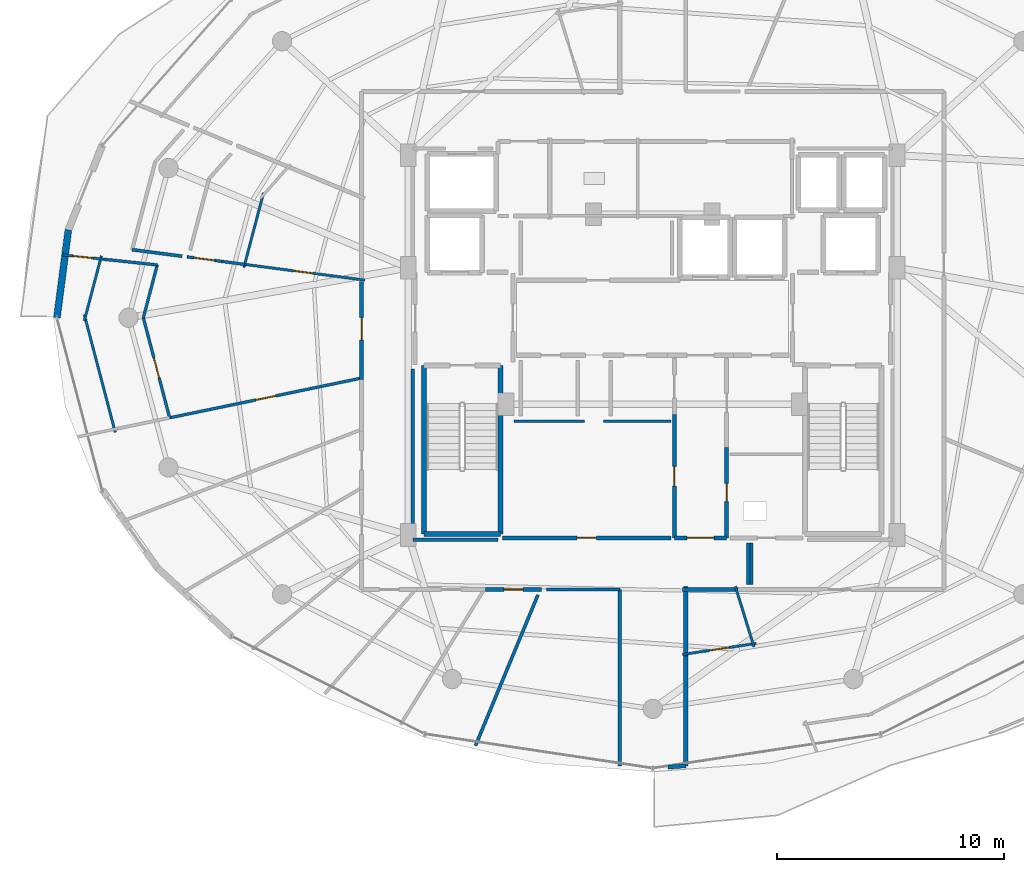
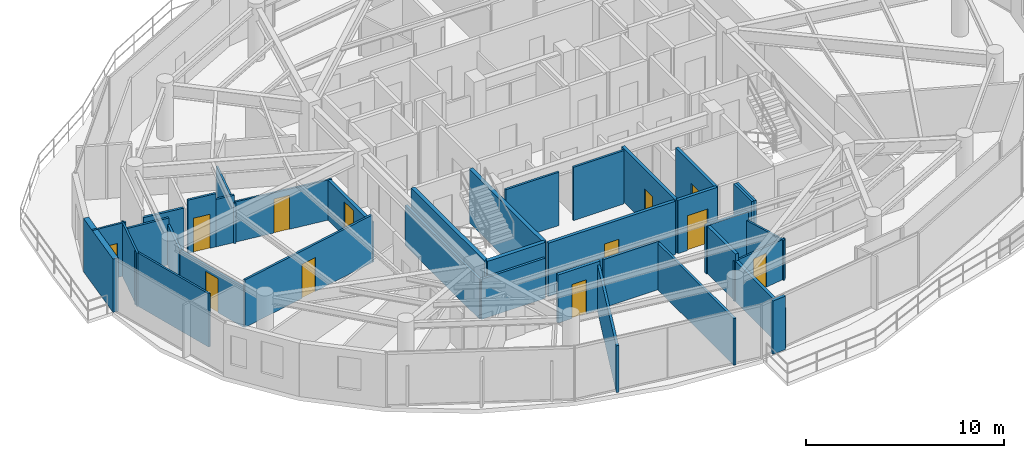
# One storey, part 22 of 30: 37 walls, 12 doors, 12 openings.
"""IFC4 building model written with IfcOpenShell, lengths in metres."""

from ifc_helpers import new_model, si_unit, direction, frame, frame_2d, origin, place, context, subcontext, project, spatial, rectangle, extrude, material, layer, layer_set, type_object, element, fill, save


model = new_model("IFC4")

# Units and contexts
model_context = context("Model", 3, precision=1e-05, world=origin(), true_north=direction((0.0, 1.0)))
body_context = subcontext(model_context, "Body", "Model", "MODEL_VIEW")
ifc_project = project(units=[si_unit("LENGTHUNIT", "METRE"), si_unit("AREAUNIT", "SQUARE_METRE"), si_unit("VOLUMEUNIT", "CUBIC_METRE"), si_unit("PLANEANGLEUNIT", "RADIAN"), si_unit("MASSUNIT", "GRAM", prefix="KILO")], contexts=[model_context])

# Site, building, storey
site_placement = place(None, origin())
site = spatial("IfcSite", under=ifc_project, at=site_placement, CompositionType="ELEMENT")
building_placement = place(site_placement, origin())
building = spatial("IfcBuilding", under=site, at=building_placement, Name="Vorneva Point Tower", CompositionType="ELEMENT")
storey_placement = place(building_placement, frame((0.0, 0.0, 241.35009765625)))
storey = spatial("IfcBuildingStorey", under=building, at=storey_placement, Name="L65", CompositionType="ELEMENT", Elevation=241.35009765625)

# Wall
ifc_material_1 = material(Name="Precast concrete B50 (C40/50)", Category="concrete")
ifc_layer_1 = layer(ifc_material_1, 0.300048828125)
ifc_layer_set_1 = layer_set([ifc_layer_1], Name="Precast concrete B50 (C40/50)")
wall_type_1 = type_object("IfcWallType", Name="WL-EXT-300", PredefinedType="STANDARD", material=ifc_layer_set_1)
wall_1_placement = place(storey_placement, frame((12.303466796875, 29.86474609375, 0.0), z_axis=(0.0, 0.0, 1.0), x_axis=(-0.129167789917, -0.991622751881, 0.0)))
element("IfcWall", 1, at=wall_1_placement, inside=storey, type_object=wall_type_1, Name="L65 Pale-Metal Facade Spandrel Wall 08.2", PredefinedType="STANDARD", context=body_context, shape_type="SweptSolid", body=[
    extrude(rectangle(XDim=3.8974609375, YDim=0.300048828125, at=frame_2d((1.94873046875, 0.0))), origin(), (0.0, 0.0, 1.0), 3.289794921875),
])

# Wall, opening, door
ifc_material_2 = material(Name="Fire-rated acoustic gypsum stud partition", Category="gypsum")
ifc_layer_2 = layer(ifc_material_2, 0.110107421875)
ifc_layer_set_2 = layer_set([ifc_layer_2], Name="Fire-rated acoustic gypsum stud partition")
wall_type_2 = type_object("IfcWallType", Name="WL-PART-110", PredefinedType="PARTITIONING", material=ifc_layer_set_2)
wall_2_placement = place(storey_placement, frame((25.3388671875, 27.65576171875, 0.0), z_axis=(0.0, 0.0, 1.0), x_axis=(-0.991543288598, 0.129776372412, 0.0)))
wall_2 = element("IfcWall", 2, at=wall_2_placement, inside=storey, type_object=wall_type_2, Name="L65 Interior Partition 066", PredefinedType="PARTITIONING", context=body_context, shape_type="SweptSolid", body=[
    extrude(rectangle(XDim=5.466796875, YDim=0.110107421875, at=frame_2d((2.7333984375, 0.0))), origin(), (0.0, 0.0, 1.0), 2.48193359375),
])
opening_1_placement = place(wall_2_placement, frame((2.308349609375, 0.0, 0.0)))
opening_1 = element("IfcOpeningElement", 3, at=opening_1_placement, cuts=wall_2, Name="Opening ID-02", PredefinedType="OPENING", context=body_context, shape_type="SweptSolid", body=[
    extrude(rectangle(XDim=0.85009765625, YDim=2.10009765625, at=frame_2d((0.425048828125, 1.050048828125))), frame((0.0, 0.06982421875, 0.0), z_axis=(0.0, -1.0, 0.0), x_axis=(1.0, 0.0, 0.0)), (0.0, 0.0, 1.0), 0.139892578125),
])
ifc_material_3 = material(Name="Engineered oak fire-rated door leaf", Category="wood")
door_type_1 = type_object("IfcDoorType", Name="DR-BATH-850", OperationType="NOTDEFINED", PredefinedType="DOOR", material=ifc_material_3)
door_1_placement = place(opening_1_placement, origin())
door_1 = element("IfcDoor", 4, at=door_1_placement, inside=storey, type_object=door_type_1, Name="L65 Door Living and Dining Room L65-02 / Bathroom L65-02", OperationType="SINGLE_SWING_RIGHT", OverallHeight=2.10009765625, OverallWidth=0.85009765625, PredefinedType="DOOR", context=body_context, shape_type="SweptSolid", body=[
    extrude(rectangle(XDim=0.85009765625, YDim=2.10009765625, at=frame_2d((0.425048828125, 1.050048828125))), frame((0.0, 0.02490234375, 0.0), z_axis=(0.0, -1.0, 0.0), x_axis=(1.0, 0.0, 0.0)), (0.0, 0.0, 1.0), 0.050048828125),
])
fill(opening_1, door_1)

wall_3_placement = place(storey_placement, frame((12.020751953125, 28.768798828125, 0.0), z_axis=(0.0, 0.0, 1.0), x_axis=(0.994395705484, -0.105722187429, 0.0)))
wall_3 = element("IfcWall", 5, at=wall_3_placement, inside=storey, type_object=wall_type_2, Name="L65 Interior Partition 067", PredefinedType="PARTITIONING", context=body_context, shape_type="SweptSolid", body=[
    extrude(rectangle(XDim=1.849609375, YDim=0.110107421875, at=frame_2d((0.9248046875, 0.0))), origin(), (0.0, 0.0, 1.0), 3.289794921875),
])
opening_2_placement = place(wall_3_placement, frame((0.474853515625, 0.0, 0.0)))
opening_2 = element("IfcOpeningElement", 6, at=opening_2_placement, cuts=wall_3, Name="Opening ID-01", PredefinedType="OPENING", context=body_context, shape_type="SweptSolid", body=[
    extrude(rectangle(XDim=0.89990234375, YDim=2.10009765625, at=frame_2d((0.449951171875, 1.050048828125))), frame((0.0, 0.06982421875, 0.0), z_axis=(0.0, -1.0, 0.0), x_axis=(1.0, 0.0, 0.0)), (0.0, 0.0, 1.0), 0.139892578125),
])
door_type_2 = type_object("IfcDoorType", Name="DR-ROOM-900", OperationType="NOTDEFINED", PredefinedType="DOOR", material=ifc_material_3)
door_2_placement = place(opening_2_placement, origin())
door_2 = element("IfcDoor", 7, at=door_2_placement, inside=storey, type_object=door_type_2, Name="L65 Door Living and Dining Room L65-02 / Kitchen L65-02", OperationType="SINGLE_SWING_LEFT", OverallHeight=2.10009765625, OverallWidth=0.89990234375, PredefinedType="DOOR", context=body_context, shape_type="SweptSolid", body=[
    extrude(rectangle(XDim=0.89990234375, YDim=2.10009765625, at=frame_2d((0.449951171875, 1.050048828125))), frame((0.0, 0.02490234375, 0.0), z_axis=(0.0, -1.0, 0.0), x_axis=(1.0, 0.0, 0.0)), (0.0, 0.0, 1.0), 0.050048828125),
])
fill(opening_2, door_2)

# Walls
wall_4_placement = place(storey_placement, frame((20.021484375, 28.211669921875, 0.0), z_axis=(0.0, 0.0, 1.0), x_axis=(0.254539154478, 0.967062468943, 0.0)))
element("IfcWall", 8, at=wall_4_placement, inside=storey, type_object=wall_type_2, Name="L65 Interior Partition 073", PredefinedType="PARTITIONING", context=body_context, shape_type="SweptSolid", body=[
    extrude(rectangle(XDim=3.406982421875, YDim=0.110107421875, at=frame_2d((1.70361328125, 0.0))), origin(), (0.0, 0.0, 1.0), 2.48193359375),
])
wall_5_placement = place(storey_placement, frame((14.364501953125, 20.962646484375, 0.0), z_axis=(0.0, 0.0, 1.0), x_axis=(-0.254288836667, 0.967128320104, 0.0)))
element("IfcWall", 9, at=wall_5_placement, inside=storey, type_object=wall_type_2, Name="L65 Interior Partition 075", PredefinedType="PARTITIONING", context=body_context, shape_type="SweptSolid", body=[
    extrude(rectangle(XDim=5.3486328125, YDim=0.110107421875, at=frame_2d((2.67431640625, 0.0))), origin(), (0.0, 0.0, 1.0), 3.289794921875),
])
wall_6_placement = place(storey_placement, frame((13.00439453125, 25.864501953125, 0.0), z_axis=(0.0, 0.0, 1.0), x_axis=(0.254448582557, 0.967086303716, 0.0)))
element("IfcWall", 10, at=wall_6_placement, inside=storey, type_object=wall_type_2, Name="L65 Interior Partition 076", PredefinedType="PARTITIONING", context=body_context, shape_type="SweptSolid", body=[
    extrude(rectangle(XDim=2.956298828125, YDim=0.110107421875, at=frame_2d((1.47802734375, 0.0))), origin(), (0.0, 0.0, 1.0), 3.289794921875),
])
wall_7_placement = place(storey_placement, frame((41.634765625, 14.183837890625, 0.0), z_axis=(0.0, 0.0, 1.0), x_axis=(0.294283258928, -0.955718244837, 0.0)))
element("IfcWall", 11, at=wall_7_placement, inside=storey, type_object=wall_type_2, Name="L65 Interior Partition 083", PredefinedType="PARTITIONING", context=body_context, shape_type="SweptSolid", body=[
    extrude(rectangle(XDim=2.78076171875, YDim=0.110107421875, at=frame_2d((1.390380859375, 0.0))), origin(), (0.0, 0.0, 1.0), 2.48193359375),
])

# Wall, opening, door
wall_8_placement = place(storey_placement, frame((42.55029296875, 11.680908203125, 0.0), z_axis=(0.0, 0.0, 1.0), x_axis=(-0.98884760338, -0.148930914485, 0.0)))
wall_8 = element("IfcWall", 12, at=wall_8_placement, inside=storey, type_object=wall_type_2, Name="L65 Interior Partition 084", PredefinedType="PARTITIONING", context=body_context, shape_type="SweptSolid", body=[
    extrude(rectangle(XDim=3.275390625, YDim=0.110107421875, at=frame_2d((1.6376953125, 0.0))), origin(), (0.0, 0.0, 1.0), 2.48193359375),
])
opening_3_placement = place(wall_8_placement, frame((1.212646484375, 0.0, 0.0)))
opening_3 = element("IfcOpeningElement", 13, at=opening_3_placement, cuts=wall_8, Name="Opening ID-02", PredefinedType="OPENING", context=body_context, shape_type="SweptSolid", body=[
    extrude(rectangle(XDim=0.85009765625, YDim=2.10009765625, at=frame_2d((0.425048828125, 1.050048828125))), frame((0.0, 0.06982421875, 0.0), z_axis=(0.0, -1.0, 0.0), x_axis=(1.0, 0.0, 0.0)), (0.0, 0.0, 1.0), 0.139892578125),
])
door_3_placement = place(opening_3_placement, origin())
door_3 = element("IfcDoor", 14, at=door_3_placement, inside=storey, type_object=door_type_1, Name="L65 Door Studio Apartment L65-03 / Bathroom L65-03", OperationType="SINGLE_SWING_RIGHT", OverallHeight=2.10009765625, OverallWidth=0.85009765625, PredefinedType="DOOR", context=body_context, shape_type="SweptSolid", body=[
    extrude(rectangle(XDim=0.85009765625, YDim=2.10009765625, at=frame_2d((0.425048828125, 1.050048828125))), frame((0.0, 0.02490234375, 0.0), z_axis=(0.0, -1.0, 0.0), x_axis=(1.0, 0.0, 0.0)), (0.0, 0.0, 1.0), 0.050048828125),
])
fill(opening_3, door_3)

# Walls
ifc_layer_3 = layer(ifc_material_2, 0.125)
ifc_layer_set_3 = layer_set([ifc_layer_3], Name="Fire-rated acoustic gypsum stud partition")
wall_type_3 = type_object("IfcWallType", Name="WL-PART-125", PredefinedType="PARTITIONING", material=ifc_layer_set_3)
wall_9_placement = place(storey_placement, frame((35.0048828125, 21.449951171875, 0.0), z_axis=(0.0, 0.0, 1.0), x_axis=(-1.0, 0.0, 0.0)))
element("IfcWall", 15, at=wall_9_placement, inside=storey, type_object=wall_type_3, Name="L65 Interior Partition 028", PredefinedType="PARTITIONING", context=body_context, shape_type="SweptSolid", body=[
    extrude(rectangle(XDim=3.10986328125, YDim=0.125, at=frame_2d((1.554931640625, 0.0))), origin(), (0.0, 0.0, 1.0), 3.289794921875),
])
wall_10_placement = place(storey_placement, frame((38.800048828125, 21.449951171875, 0.0), z_axis=(0.0, 0.0, 1.0), x_axis=(-1.0, 0.0, 0.0)))
element("IfcWall", 16, at=wall_10_placement, inside=storey, type_object=wall_type_3, Name="L65 Interior Partition 029", PredefinedType="PARTITIONING", context=body_context, shape_type="SweptSolid", body=[
    extrude(rectangle(XDim=2.955078125, YDim=0.125, at=frame_2d((1.4775390625, 0.0))), origin(), (0.0, 0.0, 1.0), 3.289794921875),
])
wall_11_placement = place(storey_placement, frame((20.056884765625, 28.346923828125, 0.0), z_axis=(0.0, 0.0, 1.0), x_axis=(-0.99150495655, 0.130068909188, 0.0)))
element("IfcWall", 17, at=wall_11_placement, inside=storey, type_object=wall_type_3, Name="L65 Interior Partition 064", PredefinedType="PARTITIONING", context=body_context, shape_type="SweptSolid", body=[
    extrude(rectangle(XDim=1.015380859375, YDim=0.125, at=frame_2d((0.5078125, 0.0))), origin(), (0.0, 0.0, 1.0), 2.923828125),
])

# Wall, opening, door
wall_12_placement = place(storey_placement, frame((19.050048828125, 28.47900390625, 0.0), z_axis=(0.0, 0.0, 1.0), x_axis=(-0.991536647804, 0.129827100648, 0.0)))
wall_12 = element("IfcWall", 18, at=wall_12_placement, inside=storey, type_object=wall_type_3, Name="L65 Interior Partition 065", PredefinedType="PARTITIONING", context=body_context, shape_type="SweptSolid", body=[
    extrude(rectangle(XDim=1.5400390625, YDim=0.125, at=frame_2d((0.77001953125, 0.0))), origin(), (0.0, 0.0, 1.0), 3.289794921875),
])
opening_4_placement = place(wall_12_placement, frame((0.320068359375, 0.0, 0.0)))
opening_4 = element("IfcOpeningElement", 19, at=opening_4_placement, cuts=wall_12, Name="Opening ID-01", PredefinedType="OPENING", context=body_context, shape_type="SweptSolid", body=[
    extrude(rectangle(XDim=0.89990234375, YDim=2.10009765625, at=frame_2d((0.449951171875, 1.050048828125))), frame((0.0, 0.077392578125, 0.0), z_axis=(0.0, -1.0, 0.0), x_axis=(1.0, 0.0, 0.0)), (0.0, 0.0, 1.0), 0.15478515625),
])
door_4_placement = place(opening_4_placement, origin())
door_4 = element("IfcDoor", 20, at=door_4_placement, inside=storey, type_object=door_type_2, Name="L65 Door Living and Dining Room L65-02 / Family Dining Room L65-02", OperationType="SINGLE_SWING_LEFT", OverallHeight=2.10009765625, OverallWidth=0.89990234375, PredefinedType="DOOR", context=body_context, shape_type="SweptSolid", body=[
    extrude(rectangle(XDim=0.89990234375, YDim=2.10009765625, at=frame_2d((0.449951171875, 1.050048828125))), frame((0.0, 0.02490234375, 0.0), z_axis=(0.0, -1.0, 0.0), x_axis=(1.0, 0.0, 0.0)), (0.0, 0.0, 1.0), 0.050048828125),
])
fill(opening_4, door_4)

# Walls
wall_13_placement = place(storey_placement, frame((13.860107421875, 28.572998046875, 0.0), z_axis=(0.0, 0.0, 1.0), x_axis=(0.994349321614, -0.106157555574, 0.0)))
element("IfcWall", 21, at=wall_13_placement, inside=storey, type_object=wall_type_3, Name="L65 Interior Partition 068", PredefinedType="PARTITIONING", context=body_context, shape_type="SweptSolid", body=[
    extrude(rectangle(XDim=2.3642578125, YDim=0.125, at=frame_2d((1.18212890625, 0.0))), origin(), (0.0, 0.0, 1.0), 2.8740234375),
])
wall_14_placement = place(storey_placement, frame((16.2109375, 28.322021484375, 0.0), z_axis=(0.0, 0.0, 1.0), x_axis=(-0.254408212112, -0.96709692462, 0.0)))
element("IfcWall", 22, at=wall_14_placement, inside=storey, type_object=wall_type_3, Name="L65 Interior Partition 069", PredefinedType="PARTITIONING", context=body_context, shape_type="SweptSolid", body=[
    extrude(rectangle(XDim=2.401123046875, YDim=0.125, at=frame_2d((1.20068359375, 0.0))), origin(), (0.0, 0.0, 1.0), 2.48193359375),
])

# Wall, opening, door
wall_15_placement = place(storey_placement, frame((15.60009765625, 26.0, 0.0), z_axis=(0.0, 0.0, 1.0), x_axis=(0.25436383836, -0.967108596661, 0.0)))
wall_15 = element("IfcWall", 23, at=wall_15_placement, inside=storey, type_object=wall_type_3, Name="L65 Interior Partition 070", PredefinedType="PARTITIONING", context=body_context, shape_type="SweptSolid", body=[
    extrude(rectangle(XDim=4.548583984375, YDim=0.125, at=frame_2d((2.2744140625, 0.0))), origin(), (0.0, 0.0, 1.0), 2.48193359375),
])
opening_5_placement = place(wall_15_placement, frame((1.82421875, 0.0, 0.0)))
opening_5 = element("IfcOpeningElement", 24, at=opening_5_placement, cuts=wall_15, Name="Opening ID-01", PredefinedType="OPENING", context=body_context, shape_type="SweptSolid", body=[
    extrude(rectangle(XDim=0.89990234375, YDim=2.10009765625, at=frame_2d((0.449951171875, 1.050048828125))), frame((0.0, 0.077392578125, 0.0), z_axis=(0.0, -1.0, 0.0), x_axis=(1.0, 0.0, 0.0)), (0.0, 0.0, 1.0), 0.15478515625),
])
door_5_placement = place(opening_5_placement, origin())
door_5 = element("IfcDoor", 25, at=door_5_placement, inside=storey, type_object=door_type_2, Name="L65 Door Living and Dining Room L65-02 / Study Room L65-02", OperationType="SINGLE_SWING_RIGHT", OverallHeight=2.10009765625, OverallWidth=0.89990234375, PredefinedType="DOOR", context=body_context, shape_type="SweptSolid", body=[
    extrude(rectangle(XDim=0.89990234375, YDim=2.10009765625, at=frame_2d((0.449951171875, 1.050048828125))), frame((0.0, 0.02490234375, 0.0), z_axis=(0.0, -1.0, 0.0), x_axis=(1.0, 0.0, 0.0)), (0.0, 0.0, 1.0), 0.050048828125),
])
fill(opening_5, door_5)

wall_16_placement = place(storey_placement, frame((16.757080078125, 21.600830078125, 0.0), z_axis=(0.0, 0.0, 1.0), x_axis=(0.979226116247, 0.20277133244, 0.0)))
wall_16 = element("IfcWall", 26, at=wall_16_placement, inside=storey, type_object=wall_type_3, Name="L65 Interior Partition 072", PredefinedType="PARTITIONING", context=body_context, shape_type="SweptSolid", body=[
    extrude(rectangle(XDim=8.6220703125, YDim=0.125, at=frame_2d((4.31103515625, 0.0))), origin(), (0.0, 0.0, 1.0), 2.923828125),
])
opening_6_placement = place(wall_16_placement, frame((3.861083984375, 0.0, 0.0)))
opening_6 = element("IfcOpeningElement", 27, at=opening_6_placement, cuts=wall_16, Name="Opening ID-01", PredefinedType="OPENING", context=body_context, shape_type="SweptSolid", body=[
    extrude(rectangle(XDim=0.89990234375, YDim=2.10009765625, at=frame_2d((0.449951171875, 1.050048828125))), frame((0.0, 0.077392578125, 0.0), z_axis=(0.0, -1.0, 0.0), x_axis=(1.0, 0.0, 0.0)), (0.0, 0.0, 1.0), 0.15478515625),
])
door_6_placement = place(opening_6_placement, origin())
door_6 = element("IfcDoor", 28, at=door_6_placement, inside=storey, type_object=door_type_2, Name="L65 Door Living and Dining Room L65-02 / Master Bedroom L65-02.1", OperationType="SINGLE_SWING_LEFT", OverallHeight=2.10009765625, OverallWidth=0.89990234375, PredefinedType="DOOR", context=body_context, shape_type="SweptSolid", body=[
    extrude(rectangle(XDim=0.89990234375, YDim=2.10009765625, at=frame_2d((0.449951171875, 1.050048828125))), frame((0.0, 0.02490234375, 0.0), z_axis=(0.0, -1.0, 0.0), x_axis=(1.0, 0.0, 0.0)), (0.0, 0.0, 1.0), 0.050048828125),
])
fill(opening_6, door_6)

# Walls
ifc_layer_4 = layer(ifc_material_2, 0.139892578125)
ifc_layer_set_4 = layer_set([ifc_layer_4], Name="Fire-rated acoustic gypsum stud partition")
wall_type_4 = type_object("IfcWallType", Name="WL-PART-140", PredefinedType="PARTITIONING", material=ifc_layer_set_4)
wall_17_placement = place(storey_placement, frame((33.330078125, 14.050048828125, 0.0), z_axis=(0.0, 0.0, 1.0), x_axis=(1.0, 0.0, 0.0)))
element("IfcWall", 29, at=wall_17_placement, inside=storey, type_object=wall_type_4, Name="L65 Interior Closure Partition 101", PredefinedType="PARTITIONING", context=body_context, shape_type="SweptSolid", body=[
    extrude(rectangle(XDim=3.219970703125, YDim=0.139892578125, at=frame_2d((1.60986328125, 0.0))), origin(), (0.0, 0.0, 1.0), 2.971923828125),
])
wall_18_placement = place(storey_placement, frame((36.550048828125, 14.050048828125, 0.0), z_axis=(0.0, 0.0, 1.0), x_axis=(0.0, -1.0, 0.0)))
element("IfcWall", 30, at=wall_18_placement, inside=storey, type_object=wall_type_4, Name="L65 Interior Closure Partition 102", PredefinedType="PARTITIONING", context=body_context, shape_type="SweptSolid", body=[
    extrude(rectangle(XDim=7.7509765625, YDim=0.139892578125, at=frame_2d((3.87548828125, 0.0))), origin(), (0.0, 0.0, 1.0), 2.8740234375),
])
wall_19_placement = place(storey_placement, frame((42.340087890625, 14.27001953125, 0.0), z_axis=(0.0, 0.0, 1.0), x_axis=(0.0, 1.0, 0.0)))
element("IfcWall", 31, at=wall_19_placement, inside=storey, type_object=wall_type_4, Name="L65 Interior Closure Partition 105", PredefinedType="PARTITIONING", context=body_context, shape_type="SweptSolid", body=[
    extrude(rectangle(XDim=1.830078125, YDim=0.139892578125, at=frame_2d((0.9150390625, 0.0))), origin(), (0.0, 0.0, 1.0), 3.289794921875),
])
wall_20_placement = place(storey_placement, frame((27.449951171875, 23.75390625, 0.0), z_axis=(0.0, 0.0, 1.0), x_axis=(0.0, -1.0, 0.0)))
element("IfcWall", 32, at=wall_20_placement, inside=storey, type_object=wall_type_4, Name="L65 Interior Closure Partition 113", PredefinedType="PARTITIONING", context=body_context, shape_type="SweptSolid", body=[
    extrude(rectangle(XDim=7.513916015625, YDim=0.139892578125, at=frame_2d((3.7568359375, 0.0))), origin(), (0.0, 0.0, 1.0), 2.48193359375),
])
wall_21_placement = place(storey_placement, frame((27.449951171875, 16.239990234375, 0.0), z_axis=(0.0, 0.0, 1.0), x_axis=(1.0, 0.0, 0.0)))
element("IfcWall", 33, at=wall_21_placement, inside=storey, type_object=wall_type_4, Name="L65 Interior Closure Partition 114", PredefinedType="PARTITIONING", context=body_context, shape_type="SweptSolid", body=[
    extrude(rectangle(XDim=3.7451171875, YDim=0.139892578125, at=frame_2d((1.87255859375, 0.0))), origin(), (0.0, 0.0, 1.0), 2.48193359375),
])
wall_22_placement = place(storey_placement, frame((42.199951171875, 16.10009765625, 0.0), z_axis=(0.0, 0.0, 1.0), x_axis=(0.0, -1.0, 0.0)))
element("IfcWall", 34, at=wall_22_placement, inside=storey, type_object=wall_type_4, Name="L65 Interior Closure Partition 115", PredefinedType="PARTITIONING", context=body_context, shape_type="SweptSolid", body=[
    extrude(rectangle(XDim=1.830078125, YDim=0.139892578125, at=frame_2d((0.9150390625, 0.0))), origin(), (0.0, 0.0, 1.0), 3.289794921875),
])
wall_23_placement = place(storey_placement, frame((17.304931640625, 28.70703125, 0.0), z_axis=(0.0, 0.0, 1.0), x_axis=(-0.991583198316, 0.129471081011, 0.0)))
element("IfcWall", 35, at=wall_23_placement, inside=storey, type_object=wall_type_4, Name="L65 Interior Closure Partition 117", PredefinedType="PARTITIONING", context=body_context, shape_type="SweptSolid", body=[
    extrude(rectangle(XDim=2.215576171875, YDim=0.139892578125, at=frame_2d((1.10791015625, 0.0))), origin(), (0.0, 0.0, 1.0), 2.8740234375),
])
wall_24_placement = place(storey_placement, frame((30.20703125, 7.18701171875, 0.0), z_axis=(0.0, 0.0, 1.0), x_axis=(0.382679691634, 0.923881081964, 0.0)))
element("IfcWall", 36, at=wall_24_placement, inside=storey, type_object=wall_type_4, Name="L65 Interior Closure Partition 122", PredefinedType="PARTITIONING", context=body_context, shape_type="SweptSolid", body=[
    extrude(rectangle(XDim=7.167724609375, YDim=0.139892578125, at=frame_2d((3.583984375, 0.0))), origin(), (0.0, 0.0, 1.0), 2.8740234375),
])

# Wall, opening, door
ifc_material_4 = material(Name="Autoclaved aerated concrete blockwork", Category="masonry")
ifc_layer_5 = layer(ifc_material_4, 0.179931640625)
ifc_layer_set_5 = layer_set([ifc_layer_5], Name="Autoclaved aerated concrete blockwork")
wall_type_5 = type_object("IfcWallType", Name="WL-PART-180", PredefinedType="PARTITIONING", material=ifc_layer_set_5)
wall_25_placement = place(storey_placement, frame((41.25, 16.320068359375, 0.0), z_axis=(0.0, 0.0, 1.0), x_axis=(0.0, 1.0, 0.0)))
wall_25 = element("IfcWall", 37, at=wall_25_placement, inside=storey, type_object=wall_type_5, Name="L65 Interior Partition 015", PredefinedType="PARTITIONING", context=body_context, shape_type="SweptSolid", body=[
    extrude(rectangle(XDim=3.98486328125, YDim=0.179931640625, at=frame_2d((1.992431640625, 0.0))), origin(), (0.0, 0.0, 1.0), 3.289794921875),
])
opening_7_placement = place(wall_25_placement, frame((1.592529296875, 0.0, 0.0)))
opening_7 = element("IfcOpeningElement", 38, at=opening_7_placement, cuts=wall_25, Name="Opening RD-01", PredefinedType="OPENING", context=body_context, shape_type="SweptSolid", body=[
    extrude(rectangle(XDim=0.800048828125, YDim=2.050048828125, at=frame_2d((0.39990234375, 1.02490234375))), frame((0.0, 0.10498046875, 0.0), z_axis=(0.0, -1.0, 0.0), x_axis=(1.0, 0.0, 0.0)), (0.0, 0.0, 1.0), 0.209716796875),
])
ifc_material_5 = material(Name="Fire-rated powder-coated steel", Category="steel")
door_type_3 = type_object("IfcDoorType", Name="DR-RSR-800", OperationType="SINGLE_SWING_LEFT", PredefinedType="DOOR", material=ifc_material_5)
door_7_placement = place(opening_7_placement, origin())
door_7 = element("IfcDoor", 39, at=door_7_placement, inside=storey, type_object=door_type_3, Name="L65 Door Core Service Lobby / Electrical Riser", OperationType="SINGLE_SWING_RIGHT", OverallHeight=2.050048828125, OverallWidth=0.800048828125, PredefinedType="DOOR", context=body_context, shape_type="SweptSolid", body=[
    extrude(rectangle(XDim=0.800048828125, YDim=2.050048828125, at=frame_2d((0.39990234375, 1.02490234375))), frame((0.0, 0.02490234375, 0.0), z_axis=(0.0, -1.0, 0.0), x_axis=(1.0, 0.0, 0.0)), (0.0, 0.0, 1.0), 0.050048828125),
])
fill(opening_7, door_7)

wall_26_placement = place(storey_placement, frame((38.949951171875, 21.7548828125, 0.0), z_axis=(0.0, 0.0, 1.0), x_axis=(0.0, -1.0, 0.0)))
wall_26 = element("IfcWall", 40, at=wall_26_placement, inside=storey, type_object=wall_type_5, Name="L65 Interior Partition 017", PredefinedType="PARTITIONING", context=body_context, shape_type="SweptSolid", body=[
    extrude(rectangle(XDim=5.434814453125, YDim=0.179931640625, at=frame_2d((2.71728515625, 0.0))), origin(), (0.0, 0.0, 1.0), 3.289794921875),
])
opening_8_placement = place(wall_26_placement, frame((2.29248046875, 0.0, 0.0)))
opening_8 = element("IfcOpeningElement", 41, at=opening_8_placement, cuts=wall_26, Name="Opening ID-02", PredefinedType="OPENING", context=body_context, shape_type="SweptSolid", body=[
    extrude(rectangle(XDim=0.85009765625, YDim=2.10009765625, at=frame_2d((0.425048828125, 1.050048828125))), frame((0.0, 0.10498046875, 0.0), z_axis=(0.0, -1.0, 0.0), x_axis=(1.0, 0.0, 0.0)), (0.0, 0.0, 1.0), 0.209716796875),
])
door_8_placement = place(opening_8_placement, origin())
door_8 = element("IfcDoor", 42, at=door_8_placement, inside=storey, type_object=door_type_1, Name="L65 Door Core Service Lobby / Floor Storage Room", OperationType="SINGLE_SWING_RIGHT", OverallHeight=2.10009765625, OverallWidth=0.85009765625, PredefinedType="DOOR", context=body_context, shape_type="SweptSolid", body=[
    extrude(rectangle(XDim=0.85009765625, YDim=2.10009765625, at=frame_2d((0.425048828125, 1.050048828125))), frame((0.0, 0.02490234375, 0.0), z_axis=(0.0, -1.0, 0.0), x_axis=(1.0, 0.0, 0.0)), (0.0, 0.0, 1.0), 0.050048828125),
])
fill(opening_8, door_8)

wall_27_placement = place(storey_placement, frame((38.949951171875, 16.320068359375, 0.0), z_axis=(0.0, 0.0, 1.0), x_axis=(1.0, 0.0, 0.0)))
wall_27 = element("IfcWall", 43, at=wall_27_placement, inside=storey, type_object=wall_type_5, Name="L65 Interior Partition 019", PredefinedType="PARTITIONING", context=body_context, shape_type="SweptSolid", body=[
    extrude(rectangle(XDim=2.300048828125, YDim=0.179931640625, at=frame_2d((1.14990234375, 0.0))), origin(), (0.0, 0.0, 1.0), 3.289794921875),
])
opening_9_placement = place(wall_27_placement, frame((0.550048828125, 0.0, 0.0)))
opening_9 = element("IfcOpeningElement", 44, at=opening_9_placement, cuts=wall_27, Name="Opening FD-02", PredefinedType="OPENING", context=body_context, shape_type="SweptSolid", body=[
    extrude(rectangle(XDim=1.199951171875, YDim=2.14990234375, at=frame_2d((0.60009765625, 1.074951171875))), frame((0.0, 0.10498046875, 0.0), z_axis=(0.0, -1.0, 0.0), x_axis=(1.0, 0.0, 0.0)), (0.0, 0.0, 1.0), 0.209716796875),
])
door_type_4 = type_object("IfcDoorType", Name="DR-FFL-1200", OperationType="NOTDEFINED", PredefinedType="DOOR", material=ifc_material_5)
door_9_placement = place(opening_9_placement, origin())
door_9 = element("IfcDoor", 45, at=door_9_placement, inside=storey, type_object=door_type_4, Name="L65 Door Core Service Lobby / L65 Circulation Corridor", OperationType="SINGLE_SWING_RIGHT", OverallHeight=2.14990234375, OverallWidth=1.199951171875, PredefinedType="DOOR", context=body_context, shape_type="SweptSolid", body=[
    extrude(rectangle(XDim=1.199951171875, YDim=2.14990234375, at=frame_2d((0.60009765625, 1.074951171875))), frame((0.0, 0.02490234375, 0.0), z_axis=(0.0, -1.0, 0.0), x_axis=(1.0, 0.0, 0.0)), (0.0, 0.0, 1.0), 0.050048828125),
])
fill(opening_9, door_9)

wall_28_placement = place(storey_placement, frame((31.39990234375, 16.320068359375, 0.0), z_axis=(0.0, 0.0, 1.0), x_axis=(1.0, 0.0, 0.0)))
wall_28 = element("IfcWall", 46, at=wall_28_placement, inside=storey, type_object=wall_type_5, Name="L65 Interior Partition 030", PredefinedType="PARTITIONING", context=body_context, shape_type="SweptSolid", body=[
    extrude(rectangle(XDim=7.400146484375, YDim=0.179931640625, at=frame_2d((3.7001953125, 0.0))), origin(), (0.0, 0.0, 1.0), 3.289794921875),
])
opening_10_placement = place(wall_28_placement, frame((3.27490234375, 0.0, 0.0)))
opening_10 = element("IfcOpeningElement", 47, at=opening_10_placement, cuts=wall_28, Name="Opening ID-02", PredefinedType="OPENING", context=body_context, shape_type="SweptSolid", body=[
    extrude(rectangle(XDim=0.85009765625, YDim=2.10009765625, at=frame_2d((0.425048828125, 1.050048828125))), frame((0.0, 0.10498046875, 0.0), z_axis=(0.0, -1.0, 0.0), x_axis=(1.0, 0.0, 0.0)), (0.0, 0.0, 1.0), 0.209716796875),
])
door_10_placement = place(opening_10_placement, origin())
door_10 = element("IfcDoor", 48, at=door_10_placement, inside=storey, type_object=door_type_1, Name="L65 Door Floor Storage Room / L65 Circulation Corridor", OperationType="SINGLE_SWING_RIGHT", OverallHeight=2.10009765625, OverallWidth=0.85009765625, PredefinedType="DOOR", context=body_context, shape_type="SweptSolid", body=[
    extrude(rectangle(XDim=0.85009765625, YDim=2.10009765625, at=frame_2d((0.425048828125, 1.050048828125))), frame((0.0, 0.02490234375, 0.0), z_axis=(0.0, -1.0, 0.0), x_axis=(1.0, 0.0, 0.0)), (0.0, 0.0, 1.0), 0.050048828125),
])
fill(opening_10, door_10)

wall_29_placement = place(storey_placement, frame((25.199951171875, 27.735107421875, 0.0), z_axis=(0.0, 0.0, 1.0), x_axis=(0.0, -1.0, 0.0)))
wall_29 = element("IfcWall", 49, at=wall_29_placement, inside=storey, type_object=wall_type_5, Name="L65 Interior Partition 037", PredefinedType="PARTITIONING", context=body_context, shape_type="SweptSolid", body=[
    extrude(rectangle(XDim=4.447021484375, YDim=0.179931640625, at=frame_2d((2.2236328125, 0.0))), origin(), (0.0, 0.0, 1.0), 2.48193359375),
])
opening_11_placement = place(wall_29_placement, frame((1.723388671875, 0.0, 0.0)))
opening_11 = element("IfcOpeningElement", 50, at=opening_11_placement, cuts=wall_29, Name="Opening UD-01", PredefinedType="OPENING", context=body_context, shape_type="SweptSolid", body=[
    extrude(rectangle(XDim=1.0, YDim=2.14990234375, at=frame_2d((0.5, 1.074951171875))), frame((0.0, 0.10498046875, 0.0), z_axis=(0.0, -1.0, 0.0), x_axis=(1.0, 0.0, 0.0)), (0.0, 0.0, 1.0), 0.209716796875),
])
door_type_5 = type_object("IfcDoorType", Name="DR-UNIT-1000", OperationType="NOTDEFINED", PredefinedType="DOOR", material=ifc_material_3)
door_11_placement = place(opening_11_placement, origin())
door_11 = element("IfcDoor", 51, at=door_11_placement, inside=storey, type_object=door_type_5, Name="L65 Door L65 Circulation Corridor / Living and Dining Room L65-02", OperationType="SINGLE_SWING_RIGHT", OverallHeight=2.14990234375, OverallWidth=1.0, PredefinedType="DOOR", context=body_context, shape_type="SweptSolid", body=[
    extrude(rectangle(XDim=1.0, YDim=2.14990234375, at=frame_2d((0.5, 1.074951171875))), frame((0.0, 0.02490234375, 0.0), z_axis=(0.0, -1.0, 0.0), x_axis=(1.0, 0.0, 0.0)), (0.0, 0.0, 1.0), 0.050048828125),
])
fill(opening_11, door_11)

wall_30_placement = place(storey_placement, frame((30.65087890625, 14.050048828125, 0.0), z_axis=(0.0, 0.0, 1.0), x_axis=(1.0, 0.0, 0.0)))
wall_30 = element("IfcWall", 52, at=wall_30_placement, inside=storey, type_object=wall_type_5, Name="L65 Interior Partition 045", PredefinedType="PARTITIONING", context=body_context, shape_type="SweptSolid", body=[
    extrude(rectangle(XDim=2.459228515625, YDim=0.179931640625, at=frame_2d((1.2294921875, 0.0))), origin(), (0.0, 0.0, 1.0), 2.971923828125),
])
opening_12_placement = place(wall_30_placement, frame((0.804443359375, 0.0, 0.0)))
opening_12 = element("IfcOpeningElement", 53, at=opening_12_placement, cuts=wall_30, Name="Opening ID-02", PredefinedType="OPENING", context=body_context, shape_type="SweptSolid", body=[
    extrude(rectangle(XDim=0.85009765625, YDim=2.10009765625, at=frame_2d((0.425048828125, 1.050048828125))), frame((0.0, 0.10498046875, 0.0), z_axis=(0.0, -1.0, 0.0), x_axis=(1.0, 0.0, 0.0)), (0.0, 0.0, 1.0), 0.209716796875),
])
door_12_placement = place(opening_12_placement, origin())
door_12 = element("IfcDoor", 54, at=door_12_placement, inside=storey, type_object=door_type_1, Name="L65 Access Door L65 Circulation Corridor", OperationType="SINGLE_SWING_RIGHT", OverallHeight=2.10009765625, OverallWidth=0.85009765625, PredefinedType="DOOR", context=body_context, shape_type="SweptSolid", body=[
    extrude(rectangle(XDim=0.85009765625, YDim=2.10009765625, at=frame_2d((0.425048828125, 1.050048828125))), frame((0.0, 0.02490234375, 0.0), z_axis=(0.0, -1.0, 0.0), x_axis=(1.0, 0.0, 0.0)), (0.0, 0.0, 1.0), 0.050048828125),
])
fill(opening_12, door_12)

# Walls
wall_31_placement = place(storey_placement, frame((38.6708984375, 6.239990234375, 0.0), z_axis=(0.0, 0.0, 1.0), x_axis=(0.997136622012, 0.0756211415, 0.0)))
element("IfcWall", 55, at=wall_31_placement, inside=storey, type_object=wall_type_5, Name="L65 Interior Partition 046", PredefinedType="PARTITIONING", context=body_context, shape_type="SweptSolid", body=[
    extrude(rectangle(XDim=0.78125, YDim=0.179931640625, at=frame_2d((0.390625, 0.0))), origin(), (0.0, 0.0, 1.0), 3.289794921875),
])
wall_32_placement = place(storey_placement, frame((39.449951171875, 6.299072265625, 0.0), z_axis=(0.0, 0.0, 1.0), x_axis=(0.0, 1.0, 0.0)))
element("IfcWall", 56, at=wall_32_placement, inside=storey, type_object=wall_type_5, Name="L65 Interior Partition 047", PredefinedType="PARTITIONING", context=body_context, shape_type="SweptSolid", body=[
    extrude(rectangle(XDim=4.975830078125, YDim=0.179931640625, at=frame_2d((2.48779296875, 0.0))), origin(), (0.0, 0.0, 1.0), 2.48193359375),
])
wall_33_placement = place(storey_placement, frame((39.449951171875, 11.135009765625, 0.0), z_axis=(0.0, 0.0, 1.0), x_axis=(0.0, 1.0, 0.0)))
element("IfcWall", 57, at=wall_33_placement, inside=storey, type_object=wall_type_5, Name="L65 Interior Partition 050", PredefinedType="PARTITIONING", context=body_context, shape_type="SweptSolid", body=[
    extrude(rectangle(XDim=3.054931640625, YDim=0.179931640625, at=frame_2d((1.52734375, 0.0))), origin(), (0.0, 0.0, 1.0), 2.923828125),
])
wall_34_placement = place(storey_placement, frame((39.31005859375, 14.050048828125, 0.0), z_axis=(0.0, 0.0, 1.0), x_axis=(1.0, 0.0, 0.0)))
element("IfcWall", 58, at=wall_34_placement, inside=storey, type_object=wall_type_5, Name="L65 Interior Partition 051", PredefinedType="PARTITIONING", context=body_context, shape_type="SweptSolid", body=[
    extrude(rectangle(XDim=2.446044921875, YDim=0.179931640625, at=frame_2d((1.22314453125, 0.0))), origin(), (0.0, 0.0, 1.0), 2.971923828125),
])
ifc_material_6 = material(Name="Concrete B50 (C40/50)", Category="concrete")
ifc_layer_6 = layer(ifc_material_6, 0.219970703125)
ifc_layer_set_6 = layer_set([ifc_layer_6], Name="Concrete B50 (C40/50)")
wall_type_6 = type_object("IfcWallType", Name="WL-SHFT-220", PredefinedType="SOLIDWALL", material=ifc_layer_set_6)
wall_35_placement = place(storey_placement, frame((31.31005859375, 23.909912109375, 0.0), z_axis=(0.0, 0.0, 1.0), x_axis=(0.0, -1.0, 0.0)))
element("IfcWall", 59, at=wall_35_placement, inside=storey, type_object=wall_type_6, Name="L65 Exit Stair ST1 Shaft Wall right", PredefinedType="SOLIDWALL", context=body_context, shape_type="SweptSolid", body=[
    extrude(rectangle(XDim=7.419921875, YDim=0.219970703125, at=frame_2d((3.7099609375, 0.0))), origin(), (0.0, 0.0, 1.0), 3.289794921875),
])
wall_36_placement = place(storey_placement, frame((31.31005859375, 16.489990234375, 0.0), z_axis=(0.0, 0.0, 1.0), x_axis=(-1.0, 0.0, 0.0)))
element("IfcWall", 60, at=wall_36_placement, inside=storey, type_object=wall_type_6, Name="L65 Exit Stair ST1 Shaft Wall far", PredefinedType="SOLIDWALL", context=body_context, shape_type="SweptSolid", body=[
    extrude(rectangle(XDim=3.3701171875, YDim=0.219970703125, at=frame_2d((1.68505859375, 0.0))), origin(), (0.0, 0.0, 1.0), 3.289794921875),
])
wall_37_placement = place(storey_placement, frame((27.93994140625, 16.489990234375, 0.0), z_axis=(0.0, 0.0, 1.0), x_axis=(0.0, 1.0, 0.0)))
element("IfcWall", 61, at=wall_37_placement, inside=storey, type_object=wall_type_6, Name="L65 Exit Stair ST1 Shaft Wall left", PredefinedType="SOLIDWALL", context=body_context, shape_type="SweptSolid", body=[
    extrude(rectangle(XDim=7.419921875, YDim=0.219970703125, at=frame_2d((3.7099609375, 0.0))), origin(), (0.0, 0.0, 1.0), 3.289794921875),
])

save(model, "model.ifc")
